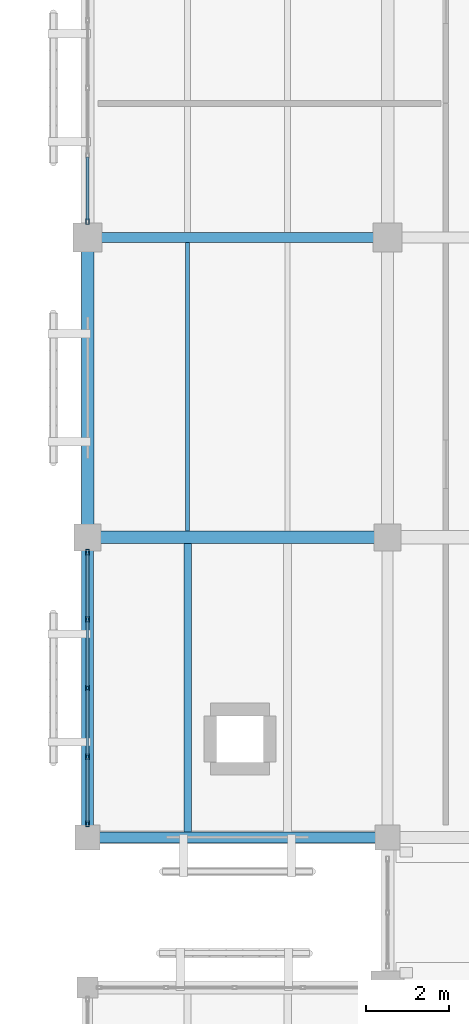
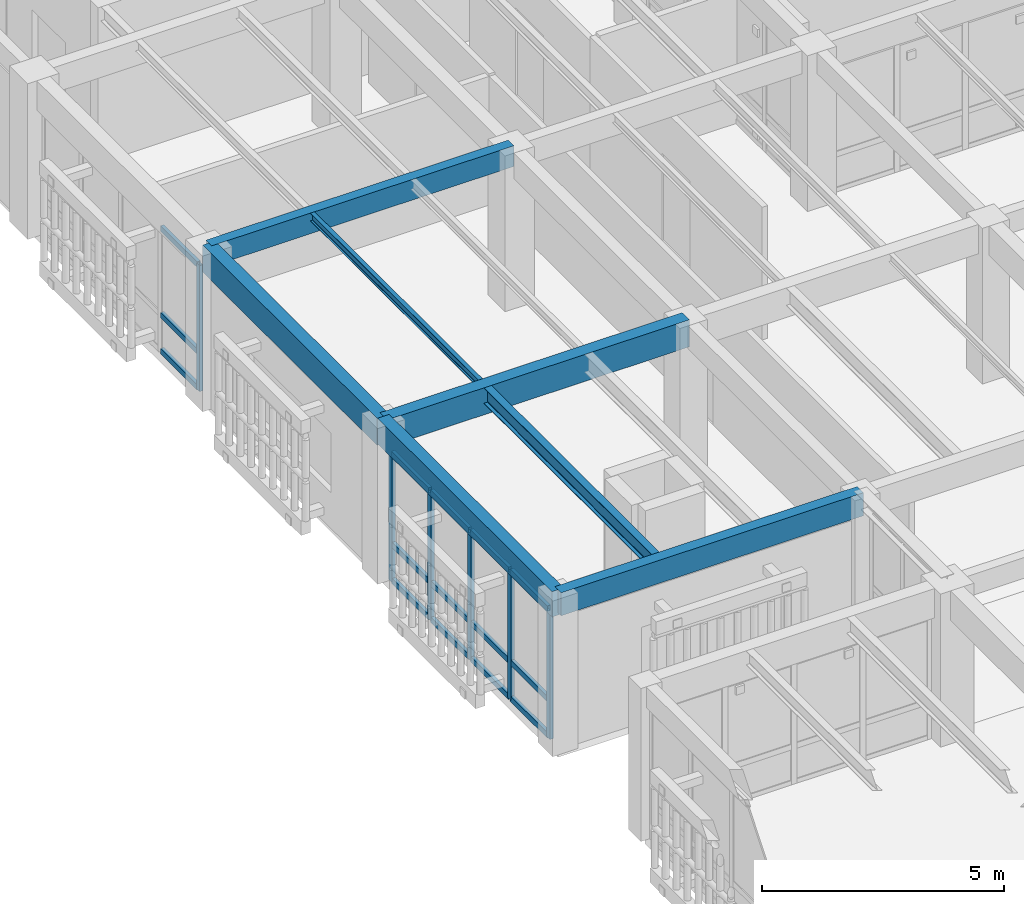
# One storey, part 58 of 170: 21 members, 7 beams, 2 elements without a shape of their own.
"""IFC4 building model written with IfcOpenShell, lengths in metres."""

from ifc_helpers import new_model, si_unit, direction, frame, origin, origin_2d, place, context, subcontext, project, spatial, rectangle, hollow_rectangle, i_section, extrude, material, layer, layer_set, material_profile, profile_set, type_object, element, aggregate, save


model = new_model("IFC4")

# Units and contexts
model_context = context("Model", 3, precision=1e-05, world=origin(), true_north=direction((0.0, 1.0)))
body_context = subcontext(model_context, "Body", "Model", "MODEL_VIEW")
ifc_project = project(units=[si_unit("LENGTHUNIT", "METRE"), si_unit("AREAUNIT", "SQUARE_METRE"), si_unit("VOLUMEUNIT", "CUBIC_METRE"), si_unit("PLANEANGLEUNIT", "RADIAN"), si_unit("MASSUNIT", "GRAM", prefix="KILO")], contexts=[model_context])

# Site, building, storey
site_placement = place(None, origin())
site = spatial("IfcSite", under=ifc_project, at=site_placement, CompositionType="ELEMENT")
building_placement = place(site_placement, origin())
building = spatial("IfcBuilding", under=site, at=building_placement, Name="Mazaris Harbour Polytechnic", CompositionType="ELEMENT")
storey_placement = place(building_placement, frame((0.0, 0.0, 5.39990234375)))
storey = spatial("IfcBuildingStorey", under=building, at=storey_placement, Name="L01", CompositionType="ELEMENT", Elevation=5.39990234375)

# Curtain wall, members
ifc_material_1 = material(Name="Anodised Bronze Aluminium and Low-E Glass", Category="aluminium")
ifc_layer = layer(ifc_material_1, 0.169921875, Name="Anodised Bronze Aluminium and Low-E Glass")
ifc_layer_set = layer_set([ifc_layer], Name="Anodised Bronze Aluminium and Low-E Glass")
curtain_wall_type = type_object("IfcCurtainWallType", Name="Studio North-Light Curtain Wall", PredefinedType="NOTDEFINED", material=ifc_layer_set)
curtain_wall_1_placement = place(storey_placement, origin())
curtain_wall_1 = element("IfcCurtainWall", 1, at=curtain_wall_1_placement, inside=storey, type_object=curtain_wall_type, Name="V5 L01 Curtain Wall 209", PredefinedType="NOTDEFINED")
ifc_material_2 = material(Name="Anodised Bronze Steel S355", Category="steel")
ifc_material_profile_1 = material_profile(ifc_material_2, hollow_rectangle(XDim=0.080078125, YDim=0.139892578125, WallThickness=0.00634765625, at=origin_2d()), Name="RHS 80x140x6.3")
ifc_profile_set_1 = profile_set([ifc_material_profile_1], Name="Anodised Bronze Steel S355")
member_type_1 = type_object("IfcMemberType", Name="Curtain Mullion RHS80x140", PredefinedType="MULLION", material=ifc_profile_set_1)
member_1_placement = place(storey_placement, frame((122.39990234375, 47.132080078125, 0.0), z_axis=(0.0, 0.0, 1.0), x_axis=(-1.0, 0.0, 0.0)))
member_1 = element("IfcMember", 2, at=member_1_placement, type_object=member_type_1, Name="CW-03 mullion 1", PredefinedType="MULLION", context=body_context, shape_type="SweptSolid", body=[
    extrude(hollow_rectangle(XDim=0.080078125, YDim=0.139892578125, WallThickness=0.00634765625, at=origin_2d()), origin(), (0.0, 0.0, 1.0), 3.27001953125),
])
member_2_placement = place(storey_placement, frame((122.39990234375, 48.73974609375, 0.0), z_axis=(0.0, 0.0, 1.0), x_axis=(-1.0, 0.0, 0.0)))
member_2 = element("IfcMember", 3, at=member_2_placement, type_object=member_type_1, Name="CW-03 mullion 2", PredefinedType="MULLION", context=body_context, shape_type="SweptSolid", body=[
    extrude(hollow_rectangle(XDim=0.080078125, YDim=0.139892578125, WallThickness=0.00634765625, at=origin_2d()), origin(), (0.0, 0.0, 1.0), 3.27001953125),
])
member_3_placement = place(storey_placement, frame((122.39990234375, 50.387451171875, 0.0), z_axis=(0.0, 0.0, 1.0), x_axis=(-1.0, 0.0, 0.0)))
member_3 = element("IfcMember", 4, at=member_3_placement, type_object=member_type_1, Name="CW-03 mullion 3", PredefinedType="MULLION", context=body_context, shape_type="SweptSolid", body=[
    extrude(hollow_rectangle(XDim=0.080078125, YDim=0.139892578125, WallThickness=0.00634765625, at=origin_2d()), origin(), (0.0, 0.0, 1.0), 3.27001953125),
])
member_4_placement = place(storey_placement, frame((122.39990234375, 52.03515625, 0.0), z_axis=(0.0, 0.0, 1.0), x_axis=(-1.0, 0.0, 0.0)))
member_4 = element("IfcMember", 5, at=member_4_placement, type_object=member_type_1, Name="CW-03 mullion 4", PredefinedType="MULLION", context=body_context, shape_type="SweptSolid", body=[
    extrude(hollow_rectangle(XDim=0.080078125, YDim=0.139892578125, WallThickness=0.00634765625, at=origin_2d()), origin(), (0.0, 0.0, 1.0), 3.27001953125),
])
member_5_placement = place(storey_placement, frame((122.39990234375, 53.64306640625, 0.0), z_axis=(0.0, 0.0, 1.0), x_axis=(-1.0, 0.0, 0.0)))
member_5 = element("IfcMember", 6, at=member_5_placement, type_object=member_type_1, Name="CW-03 mullion 5", PredefinedType="MULLION", context=body_context, shape_type="SweptSolid", body=[
    extrude(hollow_rectangle(XDim=0.080078125, YDim=0.139892578125, WallThickness=0.00634765625, at=origin_2d()), origin(), (0.0, 0.0, 1.0), 3.27001953125),
])

# Curtain wall, member
curtain_wall_2_placement = place(storey_placement, origin())
curtain_wall_2 = element("IfcCurtainWall", 7, at=curtain_wall_2_placement, inside=storey, type_object=curtain_wall_type, Name="V5 L01 Curtain Wall 210", PredefinedType="NOTDEFINED")
member_6_placement = place(storey_placement, frame((122.39990234375, 61.58203125, 0.0), z_axis=(0.0, 0.0, 1.0), x_axis=(-1.0, 0.0, 0.0)))
member_6 = element("IfcMember", 8, at=member_6_placement, type_object=member_type_1, Name="CW-03 mullion 1", PredefinedType="MULLION", context=body_context, shape_type="SweptSolid", body=[
    extrude(hollow_rectangle(XDim=0.080078125, YDim=0.139892578125, WallThickness=0.00634765625, at=origin_2d()), origin(), (0.0, 0.0, 1.0), 3.170166015625),
])

# Member
ifc_material_3 = material(Name="Anodised Bronze Steel S355", Category="steel")
ifc_material_profile_2 = material_profile(ifc_material_3, hollow_rectangle(XDim=0.080078125, YDim=0.139892578125, WallThickness=0.00634765625, at=origin_2d()), Name="RHS 80x140x6.3")
ifc_profile_set_2 = profile_set([ifc_material_profile_2], Name="Anodised Bronze Steel S355")
member_type_2 = type_object("IfcMemberType", Name="Curtain Transom RHS80x140", PredefinedType="USERDEFINED", material=ifc_profile_set_2)
member_7_placement = place(storey_placement, frame((122.39990234375, 47.172119140625, 0.0400390625), z_axis=(0.0, 1.0, 0.0), x_axis=(-1.0, 0.0, 0.0)))
member_7 = element("IfcMember", 9, at=member_7_placement, type_object=member_type_2, Name="CW-03 transom 1.1", ObjectType="TRANSOM", PredefinedType="USERDEFINED", context=body_context, shape_type="SweptSolid", body=[
    extrude(hollow_rectangle(XDim=0.080078125, YDim=0.139892578125, WallThickness=0.00634765625, at=origin_2d()), origin(), (0.0, 0.0, 1.0), 1.527587890625),
])

member_8_placement = place(storey_placement, frame((122.39990234375, 47.172119140625, 0.9501953125), z_axis=(0.0, 1.0, 0.0), x_axis=(-1.0, 0.0, 0.0)))
member_8 = element("IfcMember", 10, at=member_8_placement, type_object=member_type_2, Name="CW-03 transom 1.2", ObjectType="TRANSOM", PredefinedType="USERDEFINED", context=body_context, shape_type="SweptSolid", body=[
    extrude(hollow_rectangle(XDim=0.080078125, YDim=0.139892578125, WallThickness=0.00634765625, at=origin_2d()), origin(), (0.0, 0.0, 1.0), 1.527587890625),
])

member_9_placement = place(storey_placement, frame((122.39990234375, 47.172119140625, 3.22998046875), z_axis=(0.0, 1.0, 0.0), x_axis=(-1.0, 0.0, 0.0)))
member_9 = element("IfcMember", 11, at=member_9_placement, type_object=member_type_2, Name="CW-03 transom 1.3", ObjectType="TRANSOM", PredefinedType="USERDEFINED", context=body_context, shape_type="SweptSolid", body=[
    extrude(hollow_rectangle(XDim=0.080078125, YDim=0.139892578125, WallThickness=0.00634765625, at=origin_2d()), origin(), (0.0, 0.0, 1.0), 1.527587890625),
])

member_10_placement = place(storey_placement, frame((122.39990234375, 48.77978515625, 0.0400390625), z_axis=(0.0, 1.0, 0.0), x_axis=(-1.0, 0.0, 0.0)))
member_10 = element("IfcMember", 12, at=member_10_placement, type_object=member_type_2, Name="CW-03 transom 2.1", ObjectType="TRANSOM", PredefinedType="USERDEFINED", context=body_context, shape_type="SweptSolid", body=[
    extrude(hollow_rectangle(XDim=0.080078125, YDim=0.139892578125, WallThickness=0.00634765625, at=origin_2d()), origin(), (0.0, 0.0, 1.0), 1.567626953125),
])

member_11_placement = place(storey_placement, frame((122.39990234375, 48.77978515625, 0.9501953125), z_axis=(0.0, 1.0, 0.0), x_axis=(-1.0, 0.0, 0.0)))
member_11 = element("IfcMember", 13, at=member_11_placement, type_object=member_type_2, Name="CW-03 transom 2.2", ObjectType="TRANSOM", PredefinedType="USERDEFINED", context=body_context, shape_type="SweptSolid", body=[
    extrude(hollow_rectangle(XDim=0.080078125, YDim=0.139892578125, WallThickness=0.00634765625, at=origin_2d()), origin(), (0.0, 0.0, 1.0), 1.567626953125),
])

member_12_placement = place(storey_placement, frame((122.39990234375, 48.77978515625, 3.22998046875), z_axis=(0.0, 1.0, 0.0), x_axis=(-1.0, 0.0, 0.0)))
member_12 = element("IfcMember", 14, at=member_12_placement, type_object=member_type_2, Name="CW-03 transom 2.3", ObjectType="TRANSOM", PredefinedType="USERDEFINED", context=body_context, shape_type="SweptSolid", body=[
    extrude(hollow_rectangle(XDim=0.080078125, YDim=0.139892578125, WallThickness=0.00634765625, at=origin_2d()), origin(), (0.0, 0.0, 1.0), 1.567626953125),
])

member_13_placement = place(storey_placement, frame((122.39990234375, 50.427490234375, 0.0400390625), z_axis=(0.0, 1.0, 0.0), x_axis=(-1.0, 0.0, 0.0)))
member_13 = element("IfcMember", 15, at=member_13_placement, type_object=member_type_2, Name="CW-03 transom 3.1", ObjectType="TRANSOM", PredefinedType="USERDEFINED", context=body_context, shape_type="SweptSolid", body=[
    extrude(hollow_rectangle(XDim=0.080078125, YDim=0.139892578125, WallThickness=0.00634765625, at=origin_2d()), origin(), (0.0, 0.0, 1.0), 1.56787109375),
])

member_14_placement = place(storey_placement, frame((122.39990234375, 50.427490234375, 0.9501953125), z_axis=(0.0, 1.0, 0.0), x_axis=(-1.0, 0.0, 0.0)))
member_14 = element("IfcMember", 16, at=member_14_placement, type_object=member_type_2, Name="CW-03 transom 3.2", ObjectType="TRANSOM", PredefinedType="USERDEFINED", context=body_context, shape_type="SweptSolid", body=[
    extrude(hollow_rectangle(XDim=0.080078125, YDim=0.139892578125, WallThickness=0.00634765625, at=origin_2d()), origin(), (0.0, 0.0, 1.0), 1.56787109375),
])

member_15_placement = place(storey_placement, frame((122.39990234375, 50.427490234375, 3.22998046875), z_axis=(0.0, 1.0, 0.0), x_axis=(-1.0, 0.0, 0.0)))
member_15 = element("IfcMember", 17, at=member_15_placement, type_object=member_type_2, Name="CW-03 transom 3.3", ObjectType="TRANSOM", PredefinedType="USERDEFINED", context=body_context, shape_type="SweptSolid", body=[
    extrude(hollow_rectangle(XDim=0.080078125, YDim=0.139892578125, WallThickness=0.00634765625, at=origin_2d()), origin(), (0.0, 0.0, 1.0), 1.56787109375),
])

member_16_placement = place(storey_placement, frame((122.39990234375, 52.0751953125, 0.0400390625), z_axis=(0.0, 1.0, 0.0), x_axis=(-1.0, 0.0, 0.0)))
member_16 = element("IfcMember", 18, at=member_16_placement, type_object=member_type_2, Name="CW-03 transom 4.1", ObjectType="TRANSOM", PredefinedType="USERDEFINED", context=body_context, shape_type="SweptSolid", body=[
    extrude(hollow_rectangle(XDim=0.080078125, YDim=0.139892578125, WallThickness=0.00634765625, at=origin_2d()), origin(), (0.0, 0.0, 1.0), 1.52783203125),
])

member_17_placement = place(storey_placement, frame((122.39990234375, 52.0751953125, 0.9501953125), z_axis=(0.0, 1.0, 0.0), x_axis=(-1.0, 0.0, 0.0)))
member_17 = element("IfcMember", 19, at=member_17_placement, type_object=member_type_2, Name="CW-03 transom 4.2", ObjectType="TRANSOM", PredefinedType="USERDEFINED", context=body_context, shape_type="SweptSolid", body=[
    extrude(hollow_rectangle(XDim=0.080078125, YDim=0.139892578125, WallThickness=0.00634765625, at=origin_2d()), origin(), (0.0, 0.0, 1.0), 1.52783203125),
])

member_18_placement = place(storey_placement, frame((122.39990234375, 52.0751953125, 3.22998046875), z_axis=(0.0, 1.0, 0.0), x_axis=(-1.0, 0.0, 0.0)))
member_18 = element("IfcMember", 20, at=member_18_placement, type_object=member_type_2, Name="CW-03 transom 4.3", ObjectType="TRANSOM", PredefinedType="USERDEFINED", context=body_context, shape_type="SweptSolid", body=[
    extrude(hollow_rectangle(XDim=0.080078125, YDim=0.139892578125, WallThickness=0.00634765625, at=origin_2d()), origin(), (0.0, 0.0, 1.0), 1.52783203125),
])

aggregate(curtain_wall_1, [member_1, member_2, member_3, member_4, member_5, member_7, member_8, member_9, member_10, member_11, member_12, member_13, member_14, member_15, member_16, member_17, member_18])

member_19_placement = place(storey_placement, frame((122.39990234375, 61.6220703125, 0.0400390625), z_axis=(0.0, 1.0, 0.0), x_axis=(-1.0, 0.0, 0.0)))
member_19 = element("IfcMember", 21, at=member_19_placement, type_object=member_type_2, Name="CW-03 transom 1.1", ObjectType="TRANSOM", PredefinedType="USERDEFINED", context=body_context, shape_type="SweptSolid", body=[
    extrude(hollow_rectangle(XDim=0.080078125, YDim=0.139892578125, WallThickness=0.00634765625, at=origin_2d()), origin(), (0.0, 0.0, 1.0), 1.502685546875),
])

member_20_placement = place(storey_placement, frame((122.39990234375, 61.6220703125, 0.9501953125), z_axis=(0.0, 1.0, 0.0), x_axis=(-1.0, 0.0, 0.0)))
member_20 = element("IfcMember", 22, at=member_20_placement, type_object=member_type_2, Name="CW-03 transom 1.2", ObjectType="TRANSOM", PredefinedType="USERDEFINED", context=body_context, shape_type="SweptSolid", body=[
    extrude(hollow_rectangle(XDim=0.080078125, YDim=0.139892578125, WallThickness=0.00634765625, at=origin_2d()), origin(), (0.0, 0.0, 1.0), 1.502685546875),
])

member_21_placement = place(storey_placement, frame((122.39990234375, 61.6220703125, 3.130126953125), z_axis=(0.0, 1.0, 0.0), x_axis=(-1.0, 0.0, 0.0)))
member_21 = element("IfcMember", 23, at=member_21_placement, type_object=member_type_2, Name="CW-03 transom 1.3", ObjectType="TRANSOM", PredefinedType="USERDEFINED", context=body_context, shape_type="SweptSolid", body=[
    extrude(hollow_rectangle(XDim=0.080078125, YDim=0.139892578125, WallThickness=0.00634765625, at=origin_2d()), origin(), (0.0, 0.0, 1.0), 1.502685546875),
])

aggregate(curtain_wall_2, [member_6, member_19, member_20, member_21])

# Beams
ifc_material_4 = material(Name="Glulam GL32h", Category="wood")
ifc_material_profile_3 = material_profile(ifc_material_4, rectangle(XDim=0.239990234375, YDim=0.52001953125, at=origin_2d()), Name="RECT240x520")
ifc_profile_set_3 = profile_set([ifc_material_profile_3], Name="Glulam GL32h")
beam_type_1 = type_object("IfcBeamType", Name="Glulam Girder 240x520", PredefinedType="BEAM", material=ifc_profile_set_3)
beam_1_placement = place(storey_placement, frame((122.39990234375, 61.199951171875, 3.66015625), z_axis=(1.0, 0.0, 0.0), x_axis=(0.0, 1.0, 0.0)))
element("IfcBeam", 24, at=beam_1_placement, inside=storey, type_object=beam_type_1, Name="V5 L01 Girder 2920", PredefinedType="BEAM", context=body_context, shape_type="SweptSolid", body=[
    extrude(rectangle(XDim=0.239990234375, YDim=0.52001953125, at=origin_2d()), origin(), (0.0, 0.0, 1.0), 7.2001953125),
])
ifc_material_5 = material(Name="Glulam GL32h", Category="wood")
ifc_material_profile_4 = material_profile(ifc_material_5, rectangle(XDim=0.260009765625, YDim=0.580078125, at=origin_2d()), Name="RECT260x580")
ifc_profile_set_4 = profile_set([ifc_material_profile_4], Name="Glulam GL32h")
beam_type_2 = type_object("IfcBeamType", Name="Glulam Girder 260x580 Exterior", PredefinedType="BEAM", material=ifc_profile_set_4)
beam_2_placement = place(storey_placement, frame((122.39990234375, 46.800048828125, 3.630126953125), z_axis=(1.0, 0.0, 0.0), x_axis=(0.0, 1.0, 0.0)))
element("IfcBeam", 25, at=beam_2_placement, inside=storey, type_object=beam_type_2, Name="V5 L01 Girder 2906", PredefinedType="BEAM", context=body_context, shape_type="SweptSolid", body=[
    extrude(rectangle(XDim=0.260009765625, YDim=0.580078125, at=origin_2d()), origin(), (0.0, 0.0, 1.0), 7.2001953125),
])
ifc_material_6 = material(Name="Glulam GL32h", Category="wood")
ifc_material_profile_5 = material_profile(ifc_material_6, rectangle(XDim=0.280029296875, YDim=0.639892578125, at=origin_2d()), Name="RECT280x640")
ifc_profile_set_5 = profile_set([ifc_material_profile_5], Name="Glulam GL32h")
beam_type_3 = type_object("IfcBeamType", Name="Glulam Girder 280x640 Exterior", PredefinedType="BEAM", material=ifc_profile_set_5)
beam_3_placement = place(storey_placement, frame((122.39990234375, 46.800048828125, 3.60009765625), z_axis=(0.0, 1.0, 0.0), x_axis=(-1.0, 0.0, 0.0)))
element("IfcBeam", 26, at=beam_3_placement, inside=storey, type_object=beam_type_3, Name="V5 L01 Tie Girder 2967", PredefinedType="BEAM", context=body_context, shape_type="SweptSolid", body=[
    extrude(rectangle(XDim=0.280029296875, YDim=0.639892578125, at=origin_2d()), origin(), (0.0, 0.0, 1.0), 7.199951171875),
])
ifc_material_7 = material(Name="Glulam GL32h", Category="wood")
ifc_material_profile_6 = material_profile(ifc_material_7, rectangle(XDim=0.300048828125, YDim=0.679931640625, at=origin_2d()), Name="RECT300x680")
ifc_profile_set_6 = profile_set([ifc_material_profile_6], Name="Glulam GL32h")
beam_type_4 = type_object("IfcBeamType", Name="Glulam Girder 300x680", PredefinedType="BEAM", material=ifc_profile_set_6)
beam_4_placement = place(storey_placement, frame((122.39990234375, 54.0, 3.580078125), z_axis=(1.0, 0.0, 0.0), x_axis=(0.0, 1.0, 0.0)))
element("IfcBeam", 27, at=beam_4_placement, inside=storey, type_object=beam_type_4, Name="V5 L01 Girder 2913", PredefinedType="BEAM", context=body_context, shape_type="SweptSolid", body=[
    extrude(rectangle(XDim=0.300048828125, YDim=0.679931640625, at=origin_2d()), origin(), (0.0, 0.0, 1.0), 7.2001953125),
])
ifc_material_8 = material(Name="Glulam GL32h", Category="wood")
ifc_material_profile_7 = material_profile(ifc_material_8, rectangle(XDim=0.300048828125, YDim=0.679931640625, at=origin_2d()), Name="RECT300x680")
ifc_profile_set_7 = profile_set([ifc_material_profile_7], Name="Glulam GL32h")
beam_type_5 = type_object("IfcBeamType", Name="Glulam Girder 300x680 Exterior", PredefinedType="BEAM", material=ifc_profile_set_7)
beam_5_placement = place(storey_placement, frame((122.39990234375, 54.0, 3.580078125), z_axis=(0.0, 1.0, 0.0), x_axis=(-1.0, 0.0, 0.0)))
element("IfcBeam", 28, at=beam_5_placement, inside=storey, type_object=beam_type_5, Name="V5 L01 Tie Girder 2968", PredefinedType="BEAM", context=body_context, shape_type="SweptSolid", body=[
    extrude(rectangle(XDim=0.300048828125, YDim=0.679931640625, at=origin_2d()), origin(), (0.0, 0.0, 1.0), 7.199951171875),
])
ifc_material_9 = material(Name="Steel S355", Category="steel")
ifc_material_profile_8 = material_profile(ifc_material_9, i_section(OverallWidth=0.10009765625, OverallDepth=0.199951171875, WebThickness=0.005615234375, FlangeThickness=0.008544921875, FilletRadius=0.011962890625, at=origin_2d()), Name="IPE 200")
ifc_profile_set_8 = profile_set([ifc_material_profile_8], Name="Steel S355")
beam_type_6 = type_object("IfcBeamType", Name="Steel Joist IPE200", PredefinedType="JOIST", material=ifc_profile_set_8)
beam_6_placement = place(storey_placement, frame((124.800048828125, 54.14990234375, 3.820068359375), z_axis=(0.0, 1.0, 0.0), x_axis=(-1.0, 0.0, 0.0)))
element("IfcBeam", 29, at=beam_6_placement, inside=storey, type_object=beam_type_6, Name="V5 L01 Floor Joist 3031", PredefinedType="JOIST", context=body_context, shape_type="SweptSolid", body=[
    extrude(i_section(OverallWidth=0.10009765625, OverallDepth=0.199951171875, WebThickness=0.005615234375, FlangeThickness=0.008544921875, FilletRadius=0.011962890625, at=origin_2d()), origin(), (0.0, 0.0, 1.0), 6.93017578125),
])
ifc_material_10 = material(Name="Steel S355", Category="steel")
ifc_material_profile_9 = material_profile(ifc_material_10, i_section(OverallWidth=0.179931640625, OverallDepth=0.39990234375, WebThickness=0.008544921875, FlangeThickness=0.013427734375, FilletRadius=0.02099609375, at=origin_2d()), Name="IPE 400")
ifc_profile_set_9 = profile_set([ifc_material_profile_9], Name="Steel S355")
beam_type_7 = type_object("IfcBeamType", Name="Steel Joist IPE400", PredefinedType="JOIST", material=ifc_profile_set_9)
beam_7_placement = place(storey_placement, frame((124.800048828125, 46.929931640625, 3.72021484375), z_axis=(0.0, 1.0, 0.0), x_axis=(-1.0, 0.0, 0.0)))
element("IfcBeam", 30, at=beam_7_placement, inside=storey, type_object=beam_type_7, Name="V5 L01 Floor Joist 3029", PredefinedType="JOIST", context=body_context, shape_type="SweptSolid", body=[
    extrude(i_section(OverallWidth=0.179931640625, OverallDepth=0.39990234375, WebThickness=0.008544921875, FlangeThickness=0.013427734375, FilletRadius=0.02099609375, at=origin_2d()), origin(), (0.0, 0.0, 1.0), 6.920166015625),
])

save(model, "model.ifc")
